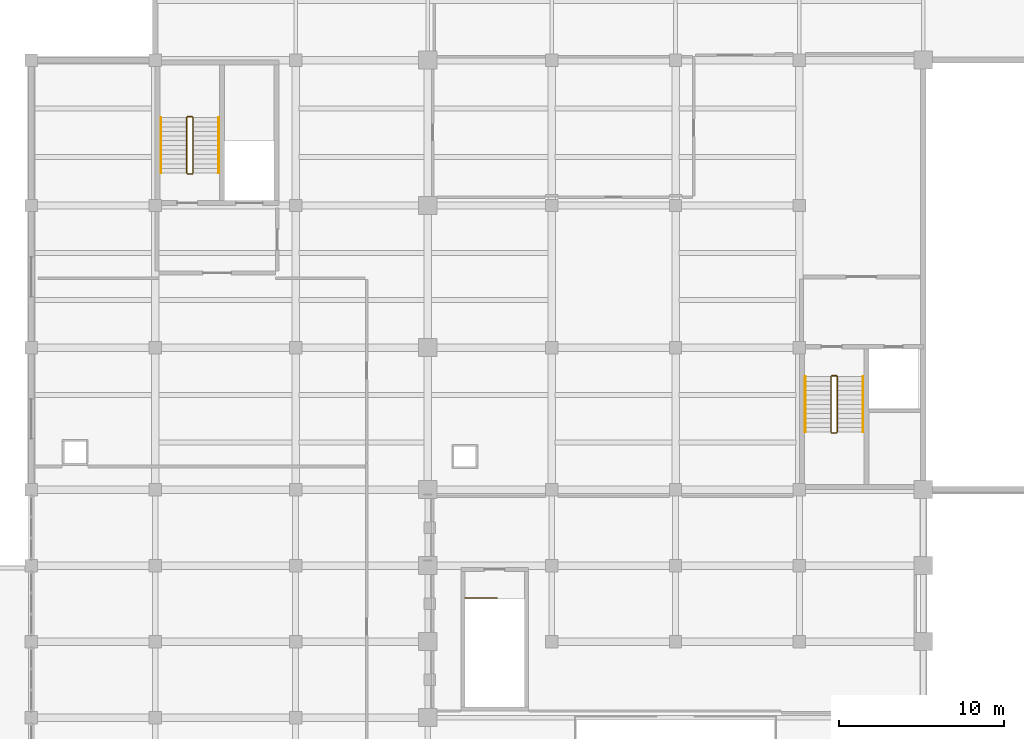
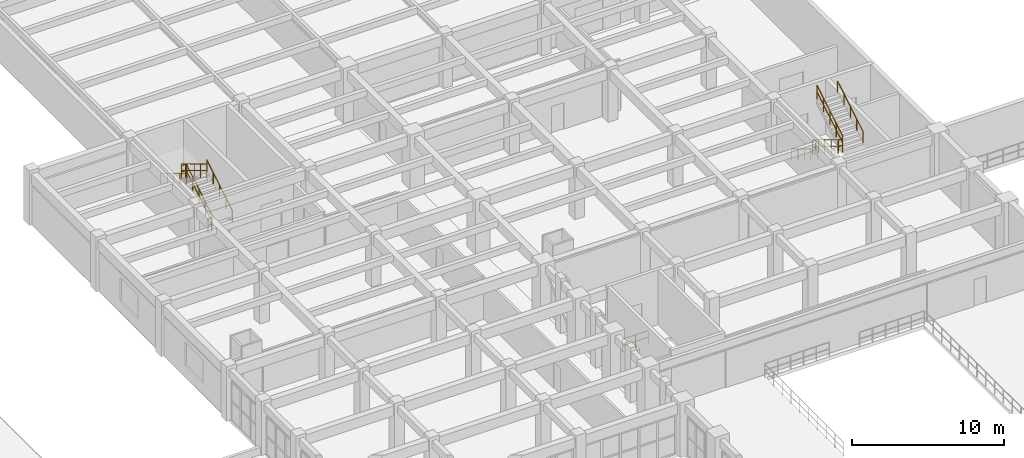
# One storey, part 87 of 90: 13 railings.
"""IFC4 building model written with IfcOpenShell, lengths in metres."""

import ifcopenshell
import ifcopenshell.guid

model = None  # the IFC model being written
_history = None  # IfcOwnerHistory: only IFC2X3 demands one
_inside = {}  # id of a spatial element -> (the spatial element, [elements in it])
_under = {}  # id of a project, library or spatial element -> (it, [spatial elements below it])
_declared = {}  # id of a project -> (the project, [libraries it declares])
_typed = {}  # id of a type object -> (the type object, [elements of that type])
_made_of = {}  # id of a material, layer set ... -> (it, [elements and type objects made of it])


def new_model(schema):
    """Start an empty IFC model of exactly this schema.

    Asked for "IFC4X3", IfcOpenShell would pick the latest addendum, in which some entities
    have other attributes; the version numbers below select the first issue.
    IFC2X3 requires an IfcOwnerHistory on every rooted entity: one is made here for all.
    """
    global model, _history
    if schema == "IFC4X3":
        model = ifcopenshell.file(schema_version=(4, 3, 0, 0))
    else:
        model = ifcopenshell.file(schema=schema)
    _inside.clear()
    _under.clear()
    _declared.clear()
    _typed.clear()
    _made_of.clear()
    _history = None
    if model.schema == "IFC2X3":
        org = make("IfcOrganization", Name="unknown")
        user = make(
            "IfcPersonAndOrganization",
            ThePerson=make("IfcPerson", FamilyName="unknown"),
            TheOrganization=org,
        )
        app = make(
            "IfcApplication",
            ApplicationDeveloper=org,
            Version="unknown",
            ApplicationFullName="unknown",
            ApplicationIdentifier="unknown",
        )
        _history = make(
            "IfcOwnerHistory",
            OwningUser=user,
            OwningApplication=app,
            ChangeAction="ADDED",
            CreationDate=0,
        )
    return model


def make(cls, **values):
    """One entity of the class cls with the attributes given. An attribute that is None is left unset."""
    return model.create_entity(
        cls, **{name: value for name, value in values.items() if value is not None}
    )


def rooted(cls, **values):
    """An entity with a GlobalId (a new one), such as an element, a storey or a relation."""
    return make(cls, GlobalId=ifcopenshell.guid.new(), OwnerHistory=_history, **values)


def si_unit(unit_type, name, prefix=None):
    """IfcSIUnit, for example si_unit("LENGTHUNIT", "METRE", prefix="MILLI")."""
    return make("IfcSIUnit", UnitType=unit_type, Prefix=prefix, Name=name)


def assignment(units):
    """IfcUnitAssignment: the units of a project."""
    return None if units is None else make("IfcUnitAssignment", Units=units)


def point(xyz):
    """IfcCartesianPoint."""
    return None if xyz is None else make("IfcCartesianPoint", Coordinates=xyz)


def direction(xyz):
    """IfcDirection."""
    return None if xyz is None else make("IfcDirection", DirectionRatios=xyz)


def frame(location, z_axis=None, x_axis=None):
    """IfcAxis2Placement3D, a coordinate frame: its origin and axes. An axis left out is left unset."""
    return make(
        "IfcAxis2Placement3D",
        Location=point(location),
        Axis=direction(z_axis),
        RefDirection=direction(x_axis),
    )


def frame_2d(location, x_axis=None):
    """IfcAxis2Placement2D, a coordinate frame in the plane: its origin and x axis."""
    return make(
        "IfcAxis2Placement2D", Location=point(location), RefDirection=direction(x_axis)
    )


def origin():
    """The frame at (0, 0, 0) with its axes left unset."""
    return frame((0.0, 0.0, 0.0))


def origin_2d():
    """The frame at (0, 0) in the plane with its x axis left unset."""
    return frame_2d((0.0, 0.0))


def place(relative_to, where):
    """IfcLocalPlacement: puts the frame where relative to a parent placement (None: the world)."""
    return make(
        "IfcLocalPlacement", PlacementRelTo=relative_to, RelativePlacement=where
    )


def context(
    kind, dimensions, precision=None, world=None, true_north=None, identifier=None
):
    """IfcGeometricRepresentationContext, for example the 3D "Model" context."""
    return make(
        "IfcGeometricRepresentationContext",
        ContextIdentifier=identifier,
        ContextType=kind,
        CoordinateSpaceDimension=dimensions,
        Precision=precision,
        WorldCoordinateSystem=world,
        TrueNorth=true_north,
    )


def subcontext(parent, identifier, kind, view, scale=None):
    """IfcGeometricRepresentationSubContext, for example "Body" below "Model"."""
    return make(
        "IfcGeometricRepresentationSubContext",
        ContextIdentifier=identifier,
        ContextType=kind,
        ParentContext=parent,
        TargetScale=scale,
        TargetView=view,
    )


def project(units=None, contexts=None):
    """IfcProject with its units and contexts."""
    return rooted(
        "IfcProject",
        Name="project",
        RepresentationContexts=contexts,
        UnitsInContext=assignment(units),
    )


def spatial(cls, under=None, at=None, **own):
    """A site, building, storey or space (cls), placed at a placement, below another one or the project."""
    s = rooted(cls, ObjectPlacement=at, **own)
    if under is not None:
        _under.setdefault(under.id(), (under, []))[1].append(s)
    return s


def profile(cls, at=None, kind="AREA", **sizes):
    """A parametric profile (cls). Its sizes go by their IFC names, for example OverallWidth=200.0."""
    return make(cls, ProfileType=kind, Position=at, **sizes)


def circle(**sizes):
    """IfcCircleProfileDef."""
    return profile("IfcCircleProfileDef", **sizes)


def extrude(swept, where, along, depth):
    """IfcExtrudedAreaSolid: the profile swept, set in the frame where, extruded along a direction by depth."""
    return make(
        "IfcExtrudedAreaSolid",
        SweptArea=swept,
        Position=where,
        ExtrudedDirection=direction(along),
        Depth=depth,
    )


def shape(context_of_items, identifier, shape_type, items):
    """IfcShapeRepresentation: the items that make up one representation, for example the "Body"."""
    return make(
        "IfcShapeRepresentation",
        ContextOfItems=context_of_items,
        RepresentationIdentifier=identifier,
        RepresentationType=shape_type,
        Items=items,
    )


def material(Name=None, Category=None):
    """IfcMaterial."""
    return make("IfcMaterial", Name=Name, Category=Category)


def made_of(thing, what):
    """Note that an element or type object is made of a material, layer set ...; save() writes the relation."""
    if what is not None:
        _made_of.setdefault(what.id(), (what, []))[1].append(thing)
    return thing


def type_object(cls, material=None, **own):
    """A type object (cls), such as IfcWallType, which elements share."""
    return made_of(rooted(cls, **own), material)


def element(
    cls,
    number,
    at=None,
    inside=None,
    cuts=None,
    type_object=None,
    material=None,
    context=None,
    identifier="Body",
    shape_type=None,
    held_by="IfcProductDefinitionShape",
    body=None,
    shapes=None,
    **own,
):
    """One element of the class cls, such as IfcWall. Its Tag is "e" and its number.

    at: its placement. inside: the storey or other place that contains it. cuts: it is an
    opening in that element (IfcRelVoidsElement). A single representation is given by context,
    identifier, shape_type and body (its items); several are given by shapes. held_by: the class
    of the entity that holds the representations. save() writes the other relations.
    """
    e = rooted(cls, Tag="e%d" % number, ObjectPlacement=at, **own)
    if body is not None:
        shapes = [shape(context, identifier, shape_type, body)]
    if shapes is not None:
        e.Representation = make(held_by, Representations=shapes)
    if inside is not None:
        _inside.setdefault(inside.id(), (inside, []))[1].append(e)
    if cuts is not None:
        rooted(
            "IfcRelVoidsElement", RelatingBuildingElement=cuts, RelatedOpeningElement=e
        )
    if type_object is not None:
        _typed.setdefault(type_object.id(), (type_object, []))[1].append(e)
    return made_of(e, material)


def aggregate(whole, parts):
    """IfcRelAggregates: a whole, such as a stair, and the parts it consists of."""
    return rooted("IfcRelAggregates", RelatingObject=whole, RelatedObjects=parts)


def save(model, path):
    """Write the relations noted so far, then the file.

    IfcRelAggregates (storeys below a building ...), IfcRelContainedInSpatialStructure (elements
    in a storey), IfcRelDefinesByType, IfcRelAssociatesMaterial and IfcRelDeclares: one each for
    every whole, place, type object, material and project.
    """
    for whole, parts in _under.values():
        aggregate(whole, parts)
    for where, things in _inside.values():
        rooted(
            "IfcRelContainedInSpatialStructure",
            RelatedElements=things,
            RelatingStructure=where,
        )
    for kind, things in _typed.values():
        rooted("IfcRelDefinesByType", RelatedObjects=things, RelatingType=kind)
    for what, things in _made_of.values():
        rooted("IfcRelAssociatesMaterial", RelatedObjects=things, RelatingMaterial=what)
    for by, libraries in _declared.values():
        rooted("IfcRelDeclares", RelatingContext=by, RelatedDefinitions=libraries)
    model.write(path)


model = new_model("IFC4")

# Units and contexts
model_context = context("Model", 3, precision=1e-05, world=origin(), true_north=direction((0.0, 1.0)))
body_context = subcontext(model_context, "Body", "Model", "MODEL_VIEW")
ifc_project = project(units=[si_unit("LENGTHUNIT", "METRE"), si_unit("AREAUNIT", "SQUARE_METRE"), si_unit("VOLUMEUNIT", "CUBIC_METRE"), si_unit("PLANEANGLEUNIT", "RADIAN"), si_unit("MASSUNIT", "GRAM", prefix="KILO")], contexts=[model_context])

# Site, building, storey
site_placement = place(None, origin())
site = spatial("IfcSite", under=ifc_project, at=site_placement, CompositionType="ELEMENT")
building_placement = place(site_placement, origin())
building = spatial("IfcBuilding", under=site, at=building_placement, Name="Muzn Square Opera House", CompositionType="ELEMENT")
storey_placement = place(building_placement, frame((0.0, 0.0, 9.800048828125)))
storey = spatial("IfcBuildingStorey", under=building, at=storey_placement, Name="L02", CompositionType="ELEMENT", Elevation=9.800048828125)

# Railings
ifc_material = material(Name="Brushed stainless steel", Category="metal")
railing_type_1 = type_object("IfcRailingType", Name="Stair Guard Railing 1120mm", PredefinedType="GUARDRAIL", material=ifc_material)
railing_1_placement = place(storey_placement, frame((67.409912109375, 79.43994140625, 0.169189453125)))
element("IfcRailing", 1, at=railing_1_placement, inside=storey, type_object=railing_type_1, Name="L02 ST-1 stair guard 1", PredefinedType="GUARDRAIL", context=body_context, shape_type="SweptSolid", body=[
    extrude(circle(Radius=0.02392578125, at=origin_2d()), frame((0.0, 0.0, 1.076171875), z_axis=(0.0, -0.855820338506, 0.51727318527), x_axis=(1.0, 0.0, 0.0)), (0.0, 0.0, 1.0), 3.92578125),
    extrude(circle(Radius=0.02392578125, at=origin_2d()), frame((0.0, 0.0, 0.550048828125), z_axis=(0.0, -0.855820338506, 0.51727318527), x_axis=(1.0, 0.0, 0.0)), (0.0, 0.0, 1.0), 3.92578125),
    extrude(circle(Radius=0.02099609375, at=origin_2d()), origin(), (0.0, 0.0, 1.0), 1.052001953125),
    extrude(circle(Radius=0.02099609375, at=origin_2d()), frame((0.0, -0.83984375, 0.5078125)), (0.0, 0.0, 1.0), 1.052001953125),
    extrude(circle(Radius=0.02099609375, at=origin_2d()), frame((0.0, -1.679931640625, 1.015380859375)), (0.0, 0.0, 1.0), 1.052001953125),
    extrude(circle(Radius=0.02099609375, at=origin_2d()), frame((0.0, -2.52001953125, 1.52294921875)), (0.0, 0.0, 1.0), 1.052001953125),
    extrude(circle(Radius=0.02099609375, at=origin_2d()), frame((0.0, -3.35986328125, 2.03076171875)), (0.0, 0.0, 1.0), 1.052001953125),
])
railing_2_placement = place(storey_placement, frame((67.4599609375, 76.030029296875, 2.199951171875)))
element("IfcRailing", 2, at=railing_2_placement, inside=storey, type_object=railing_type_1, Name="L02 ST-1 stair guard 2", PredefinedType="GUARDRAIL", context=body_context, shape_type="SweptSolid", body=[
    extrude(circle(Radius=0.02392578125, at=origin_2d()), frame((0.0, 0.0, 1.076171875), z_axis=(1.0, 0.0, 0.0), x_axis=(0.0, 1.0, 0.0)), (0.0, 0.0, 1.0), 0.280029296875),
    extrude(circle(Radius=0.02392578125, at=origin_2d()), frame((0.0, 0.0, 0.550048828125), z_axis=(1.0, 0.0, 0.0), x_axis=(0.0, 1.0, 0.0)), (0.0, 0.0, 1.0), 0.280029296875),
    extrude(circle(Radius=0.02099609375, at=origin_2d()), origin(), (0.0, 0.0, 1.0), 1.052001953125),
    extrude(circle(Radius=0.02099609375, at=origin_2d()), frame((0.280029296875, 0.0, 0.0)), (0.0, 0.0, 1.0), 1.052001953125),
])
railing_3_placement = place(storey_placement, frame((67.7900390625, 76.080078125, 2.369140625)))
element("IfcRailing", 3, at=railing_3_placement, inside=storey, type_object=railing_type_1, Name="L02 ST-1 stair guard 3", PredefinedType="GUARDRAIL", context=body_context, shape_type="SweptSolid", body=[
    extrude(circle(Radius=0.02392578125, at=origin_2d()), frame((0.0, 0.0, 1.076171875), z_axis=(0.0, 0.855820338506, 0.51727318527), x_axis=(-1.0, 0.0, 0.0)), (0.0, 0.0, 1.0), 3.92578125),
    extrude(circle(Radius=0.02392578125, at=origin_2d()), frame((0.0, 0.0, 0.550048828125), z_axis=(0.0, 0.855820338506, 0.51727318527), x_axis=(-1.0, 0.0, 0.0)), (0.0, 0.0, 1.0), 3.92578125),
    extrude(circle(Radius=0.02099609375, at=origin_2d()), origin(), (0.0, 0.0, 1.0), 1.052001953125),
    extrude(circle(Radius=0.02099609375, at=origin_2d()), frame((0.0, 0.83984375, 0.5078125)), (0.0, 0.0, 1.0), 1.052001953125),
    extrude(circle(Radius=0.02099609375, at=origin_2d()), frame((0.0, 1.679931640625, 1.015380859375)), (0.0, 0.0, 1.0), 1.052001953125),
    extrude(circle(Radius=0.02099609375, at=origin_2d()), frame((0.0, 2.52001953125, 1.52294921875)), (0.0, 0.0, 1.0), 1.052001953125),
    extrude(circle(Radius=0.02099609375, at=origin_2d()), frame((0.0, 3.35986328125, 2.03076171875)), (0.0, 0.0, 1.0), 1.052001953125),
])
railing_4_placement = place(storey_placement, frame((67.4599609375, 79.489990234375, 0.0)))
element("IfcRailing", 4, at=railing_4_placement, inside=storey, type_object=railing_type_1, Name="L02 ST-1 stair guard 4", PredefinedType="GUARDRAIL", context=body_context, shape_type="SweptSolid", body=[
    extrude(circle(Radius=0.02392578125, at=origin_2d()), frame((0.0, 0.0, 1.076171875), z_axis=(1.0, 0.0, 0.0), x_axis=(0.0, 1.0, 0.0)), (0.0, 0.0, 1.0), 0.280029296875),
    extrude(circle(Radius=0.02392578125, at=origin_2d()), frame((0.0, 0.0, 0.550048828125), z_axis=(1.0, 0.0, 0.0), x_axis=(0.0, 1.0, 0.0)), (0.0, 0.0, 1.0), 0.280029296875),
    extrude(circle(Radius=0.02099609375, at=origin_2d()), origin(), (0.0, 0.0, 1.0), 1.052001953125),
    extrude(circle(Radius=0.02099609375, at=origin_2d()), frame((0.280029296875, 0.0, 0.0)), (0.0, 0.0, 1.0), 1.052001953125),
])
railing_5_placement = place(storey_placement, frame((28.7900390625, 91.760009765625, 0.169189453125)))
element("IfcRailing", 5, at=railing_5_placement, inside=storey, type_object=railing_type_1, Name="L02 ST-6 stair guard 1", PredefinedType="GUARDRAIL", context=body_context, shape_type="SweptSolid", body=[
    extrude(circle(Radius=0.02392578125, at=origin_2d()), frame((0.0, 0.0, 1.076171875), z_axis=(0.0, 0.855836976705, 0.517245656632), x_axis=(-1.0, 0.0, 0.0)), (0.0, 0.0, 1.0), 3.926025390625),
    extrude(circle(Radius=0.02392578125, at=origin_2d()), frame((0.0, 0.0, 0.550048828125), z_axis=(0.0, 0.855836976705, 0.517245656632), x_axis=(-1.0, 0.0, 0.0)), (0.0, 0.0, 1.0), 3.926025390625),
    extrude(circle(Radius=0.02099609375, at=origin_2d()), origin(), (0.0, 0.0, 1.0), 1.052001953125),
    extrude(circle(Radius=0.02099609375, at=origin_2d()), frame((0.0, 0.840087890625, 0.5078125)), (0.0, 0.0, 1.0), 1.052001953125),
    extrude(circle(Radius=0.02099609375, at=origin_2d()), frame((0.0, 1.68017578125, 1.015380859375)), (0.0, 0.0, 1.0), 1.052001953125),
    extrude(circle(Radius=0.02099609375, at=origin_2d()), frame((0.0, 2.52001953125, 1.52294921875)), (0.0, 0.0, 1.0), 1.052001953125),
    extrude(circle(Radius=0.02099609375, at=origin_2d()), frame((0.0, 3.360107421875, 2.03076171875)), (0.0, 0.0, 1.0), 1.052001953125),
])
railing_6_placement = place(storey_placement, frame((28.739990234375, 95.169921875, 2.199951171875)))
element("IfcRailing", 6, at=railing_6_placement, inside=storey, type_object=railing_type_1, Name="L02 ST-6 stair guard 2", PredefinedType="GUARDRAIL", context=body_context, shape_type="SweptSolid", body=[
    extrude(circle(Radius=0.02392578125, at=origin_2d()), frame((0.0, 0.0, 1.076171875), z_axis=(-1.0, 0.0, 0.0), x_axis=(0.0, -1.0, 0.0)), (0.0, 0.0, 1.0), 0.280029296875),
    extrude(circle(Radius=0.02392578125, at=origin_2d()), frame((0.0, 0.0, 0.550048828125), z_axis=(-1.0, 0.0, 0.0), x_axis=(0.0, -1.0, 0.0)), (0.0, 0.0, 1.0), 0.280029296875),
    extrude(circle(Radius=0.02099609375, at=origin_2d()), origin(), (0.0, 0.0, 1.0), 1.052001953125),
    extrude(circle(Radius=0.02099609375, at=origin_2d()), frame((-0.280029296875, 0.0, 0.0)), (0.0, 0.0, 1.0), 1.052001953125),
])
railing_7_placement = place(storey_placement, frame((28.409912109375, 95.1201171875, 2.369140625)))
element("IfcRailing", 7, at=railing_7_placement, inside=storey, type_object=railing_type_1, Name="L02 ST-6 stair guard 3", PredefinedType="GUARDRAIL", context=body_context, shape_type="SweptSolid", body=[
    extrude(circle(Radius=0.02392578125, at=origin_2d()), frame((0.0, 0.0, 1.076171875), z_axis=(0.0, -0.855836976705, 0.517245656632), x_axis=(1.0, 0.0, 0.0)), (0.0, 0.0, 1.0), 3.926025390625),
    extrude(circle(Radius=0.02392578125, at=origin_2d()), frame((0.0, 0.0, 0.550048828125), z_axis=(0.0, -0.855836976705, 0.517245656632), x_axis=(1.0, 0.0, 0.0)), (0.0, 0.0, 1.0), 3.926025390625),
    extrude(circle(Radius=0.02099609375, at=origin_2d()), origin(), (0.0, 0.0, 1.0), 1.052001953125),
    extrude(circle(Radius=0.02099609375, at=origin_2d()), frame((0.0, -0.840087890625, 0.5078125)), (0.0, 0.0, 1.0), 1.052001953125),
    extrude(circle(Radius=0.02099609375, at=origin_2d()), frame((0.0, -1.68017578125, 1.015380859375)), (0.0, 0.0, 1.0), 1.052001953125),
    extrude(circle(Radius=0.02099609375, at=origin_2d()), frame((0.0, -2.52001953125, 1.52294921875)), (0.0, 0.0, 1.0), 1.052001953125),
    extrude(circle(Radius=0.02099609375, at=origin_2d()), frame((0.0, -3.360107421875, 2.03076171875)), (0.0, 0.0, 1.0), 1.052001953125),
])
railing_8_placement = place(storey_placement, frame((28.739990234375, 91.7099609375, 0.0)))
element("IfcRailing", 8, at=railing_8_placement, inside=storey, type_object=railing_type_1, Name="L02 ST-6 stair guard 4", PredefinedType="GUARDRAIL", context=body_context, shape_type="SweptSolid", body=[
    extrude(circle(Radius=0.02392578125, at=origin_2d()), frame((0.0, 0.0, 1.076171875), z_axis=(-1.0, 0.0, 0.0), x_axis=(0.0, -1.0, 0.0)), (0.0, 0.0, 1.0), 0.280029296875),
    extrude(circle(Radius=0.02392578125, at=origin_2d()), frame((0.0, 0.0, 0.550048828125), z_axis=(-1.0, 0.0, 0.0), x_axis=(0.0, -1.0, 0.0)), (0.0, 0.0, 1.0), 0.280029296875),
    extrude(circle(Radius=0.02099609375, at=origin_2d()), origin(), (0.0, 0.0, 1.0), 1.052001953125),
    extrude(circle(Radius=0.02099609375, at=origin_2d()), frame((-0.280029296875, 0.0, 0.0)), (0.0, 0.0, 1.0), 1.052001953125),
])
railing_9_placement = place(storey_placement, frame((45.25, 66.0400390625, 0.0)))
element("IfcRailing", 9, at=railing_9_placement, inside=storey, type_object=railing_type_1, Name="L02 ST-9 top well guard 1", PredefinedType="GUARDRAIL", context=body_context, shape_type="SweptSolid", body=[
    extrude(circle(Radius=0.02392578125, at=origin_2d()), frame((0.0, 0.0, 1.076171875), z_axis=(1.0, 0.0, 0.0), x_axis=(0.0, 1.0, 0.0)), (0.0, 0.0, 1.0), 1.93994140625),
    extrude(circle(Radius=0.02392578125, at=origin_2d()), frame((0.0, 0.0, 0.550048828125), z_axis=(1.0, 0.0, 0.0), x_axis=(0.0, 1.0, 0.0)), (0.0, 0.0, 1.0), 1.93994140625),
    extrude(circle(Radius=0.02099609375, at=origin_2d()), origin(), (0.0, 0.0, 1.0), 1.052001953125),
    extrude(circle(Radius=0.02099609375, at=origin_2d()), frame((0.969970703125, 0.0, 0.0)), (0.0, 0.0, 1.0), 1.052001953125),
    extrude(circle(Radius=0.02099609375, at=origin_2d()), frame((1.93994140625, 0.0, 0.0)), (0.0, 0.0, 1.0), 1.052001953125),
])
railing_type_2 = type_object("IfcRailingType", Name="Stair Pitch Handrail 900mm", PredefinedType="HANDRAIL", material=ifc_material)
railing_10_placement = place(storey_placement, frame((65.85009765625, 79.43994140625, 0.169189453125)))
element("IfcRailing", 10, at=railing_10_placement, inside=storey, type_object=railing_type_2, Name="L02 ST-1 stair handrail 1", PredefinedType="HANDRAIL", context=body_context, shape_type="SweptSolid", body=[
    extrude(circle(Radius=0.02392578125, at=origin_2d()), frame((0.0, 0.0, 0.8759765625), z_axis=(0.0, -0.855820338506, 0.51727318527), x_axis=(1.0, 0.0, 0.0)), (0.0, 0.0, 1.0), 3.92578125),
    extrude(circle(Radius=0.02099609375, at=origin_2d()), origin(), (0.0, 0.0, 1.0), 0.851806640625),
    extrude(circle(Radius=0.02099609375, at=origin_2d()), frame((0.0, -0.83984375, 0.5078125)), (0.0, 0.0, 1.0), 0.851806640625),
    extrude(circle(Radius=0.02099609375, at=origin_2d()), frame((0.0, -1.679931640625, 1.015380859375)), (0.0, 0.0, 1.0), 0.851806640625),
    extrude(circle(Radius=0.02099609375, at=origin_2d()), frame((0.0, -2.52001953125, 1.52294921875)), (0.0, 0.0, 1.0), 0.851806640625),
    extrude(circle(Radius=0.02099609375, at=origin_2d()), frame((0.0, -3.35986328125, 2.03076171875)), (0.0, 0.0, 1.0), 0.851806640625),
])
railing_11_placement = place(storey_placement, frame((69.35009765625, 76.080078125, 2.369140625)))
element("IfcRailing", 11, at=railing_11_placement, inside=storey, type_object=railing_type_2, Name="L02 ST-1 stair handrail 2", PredefinedType="HANDRAIL", context=body_context, shape_type="SweptSolid", body=[
    extrude(circle(Radius=0.02392578125, at=origin_2d()), frame((0.0, 0.0, 0.8759765625), z_axis=(0.0, 0.855820338506, 0.51727318527), x_axis=(-1.0, 0.0, 0.0)), (0.0, 0.0, 1.0), 3.92578125),
    extrude(circle(Radius=0.02099609375, at=origin_2d()), origin(), (0.0, 0.0, 1.0), 0.851806640625),
    extrude(circle(Radius=0.02099609375, at=origin_2d()), frame((0.0, 0.83984375, 0.5078125)), (0.0, 0.0, 1.0), 0.851806640625),
    extrude(circle(Radius=0.02099609375, at=origin_2d()), frame((0.0, 1.679931640625, 1.015380859375)), (0.0, 0.0, 1.0), 0.851806640625),
    extrude(circle(Radius=0.02099609375, at=origin_2d()), frame((0.0, 2.52001953125, 1.52294921875)), (0.0, 0.0, 1.0), 0.851806640625),
    extrude(circle(Radius=0.02099609375, at=origin_2d()), frame((0.0, 3.35986328125, 2.03076171875)), (0.0, 0.0, 1.0), 0.851806640625),
])
railing_12_placement = place(storey_placement, frame((30.35009765625, 91.760009765625, 0.169189453125)))
element("IfcRailing", 12, at=railing_12_placement, inside=storey, type_object=railing_type_2, Name="L02 ST-6 stair handrail 1", PredefinedType="HANDRAIL", context=body_context, shape_type="SweptSolid", body=[
    extrude(circle(Radius=0.02392578125, at=origin_2d()), frame((0.0, 0.0, 0.8759765625), z_axis=(0.0, 0.855836976705, 0.517245656632), x_axis=(-1.0, 0.0, 0.0)), (0.0, 0.0, 1.0), 3.926025390625),
    extrude(circle(Radius=0.02099609375, at=origin_2d()), origin(), (0.0, 0.0, 1.0), 0.851806640625),
    extrude(circle(Radius=0.02099609375, at=origin_2d()), frame((0.0, 0.840087890625, 0.5078125)), (0.0, 0.0, 1.0), 0.851806640625),
    extrude(circle(Radius=0.02099609375, at=origin_2d()), frame((0.0, 1.68017578125, 1.015380859375)), (0.0, 0.0, 1.0), 0.851806640625),
    extrude(circle(Radius=0.02099609375, at=origin_2d()), frame((0.0, 2.52001953125, 1.52294921875)), (0.0, 0.0, 1.0), 0.851806640625),
    extrude(circle(Radius=0.02099609375, at=origin_2d()), frame((0.0, 3.360107421875, 2.03076171875)), (0.0, 0.0, 1.0), 0.851806640625),
])
railing_13_placement = place(storey_placement, frame((26.85009765625, 95.1201171875, 2.369140625)))
element("IfcRailing", 13, at=railing_13_placement, inside=storey, type_object=railing_type_2, Name="L02 ST-6 stair handrail 2", PredefinedType="HANDRAIL", context=body_context, shape_type="SweptSolid", body=[
    extrude(circle(Radius=0.02392578125, at=origin_2d()), frame((0.0, 0.0, 0.8759765625), z_axis=(0.0, -0.855836976705, 0.517245656632), x_axis=(1.0, 0.0, 0.0)), (0.0, 0.0, 1.0), 3.926025390625),
    extrude(circle(Radius=0.02099609375, at=origin_2d()), origin(), (0.0, 0.0, 1.0), 0.851806640625),
    extrude(circle(Radius=0.02099609375, at=origin_2d()), frame((0.0, -0.840087890625, 0.5078125)), (0.0, 0.0, 1.0), 0.851806640625),
    extrude(circle(Radius=0.02099609375, at=origin_2d()), frame((0.0, -1.68017578125, 1.015380859375)), (0.0, 0.0, 1.0), 0.851806640625),
    extrude(circle(Radius=0.02099609375, at=origin_2d()), frame((0.0, -2.52001953125, 1.52294921875)), (0.0, 0.0, 1.0), 0.851806640625),
    extrude(circle(Radius=0.02099609375, at=origin_2d()), frame((0.0, -3.360107421875, 2.03076171875)), (0.0, 0.0, 1.0), 0.851806640625),
])

save(model, "model.ifc")
